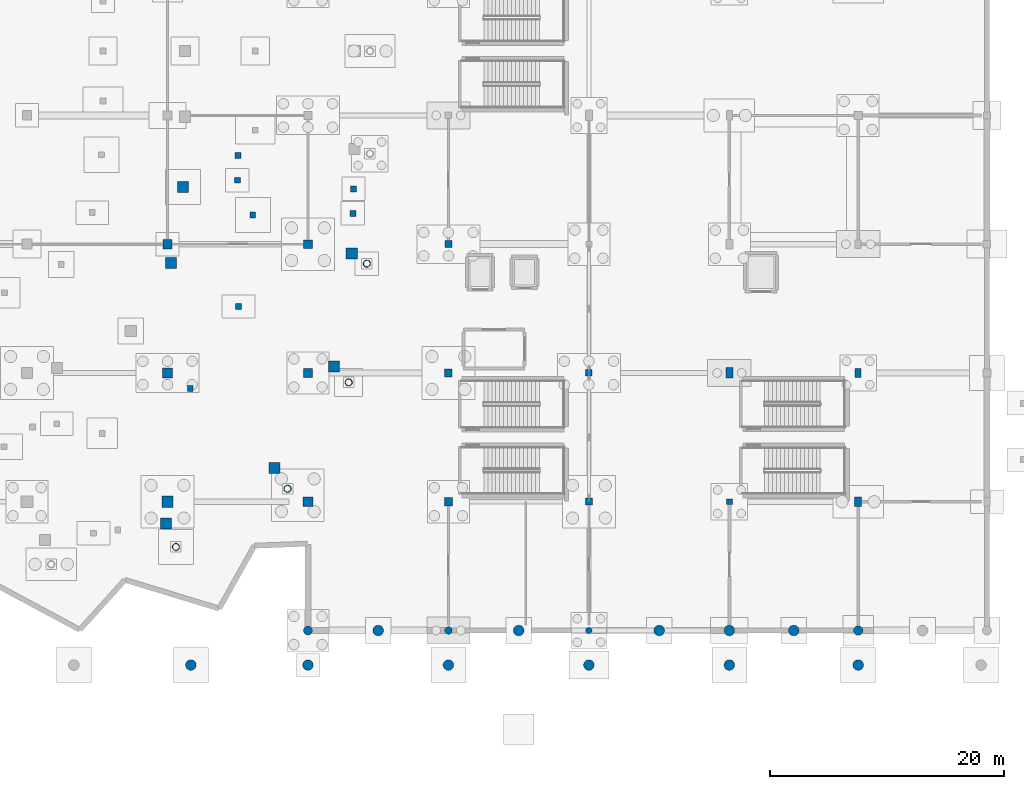
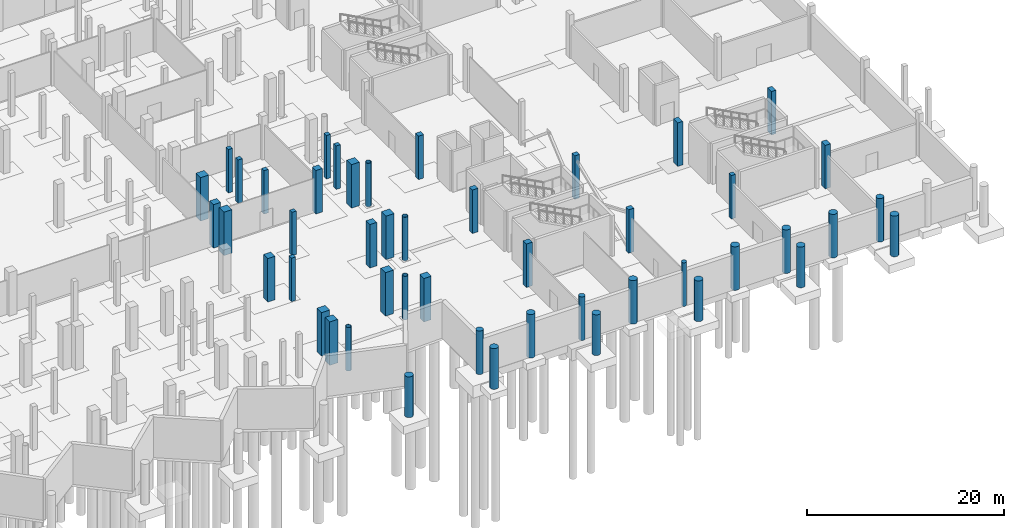
# One storey, part 18 of 60: 47 columns.
"""IFC4 building model written with IfcOpenShell, lengths in metres."""

import ifcopenshell
import ifcopenshell.guid

model = None  # the IFC model being written
_history = None  # IfcOwnerHistory: only IFC2X3 demands one
_inside = {}  # id of a spatial element -> (the spatial element, [elements in it])
_under = {}  # id of a project, library or spatial element -> (it, [spatial elements below it])
_declared = {}  # id of a project -> (the project, [libraries it declares])
_typed = {}  # id of a type object -> (the type object, [elements of that type])
_made_of = {}  # id of a material, layer set ... -> (it, [elements and type objects made of it])


def new_model(schema):
    """Start an empty IFC model of exactly this schema.

    Asked for "IFC4X3", IfcOpenShell would pick the latest addendum, in which some entities
    have other attributes; the version numbers below select the first issue.
    IFC2X3 requires an IfcOwnerHistory on every rooted entity: one is made here for all.
    """
    global model, _history
    if schema == "IFC4X3":
        model = ifcopenshell.file(schema_version=(4, 3, 0, 0))
    else:
        model = ifcopenshell.file(schema=schema)
    _inside.clear()
    _under.clear()
    _declared.clear()
    _typed.clear()
    _made_of.clear()
    _history = None
    if model.schema == "IFC2X3":
        org = make("IfcOrganization", Name="unknown")
        user = make(
            "IfcPersonAndOrganization",
            ThePerson=make("IfcPerson", FamilyName="unknown"),
            TheOrganization=org,
        )
        app = make(
            "IfcApplication",
            ApplicationDeveloper=org,
            Version="unknown",
            ApplicationFullName="unknown",
            ApplicationIdentifier="unknown",
        )
        _history = make(
            "IfcOwnerHistory",
            OwningUser=user,
            OwningApplication=app,
            ChangeAction="ADDED",
            CreationDate=0,
        )
    return model


def make(cls, **values):
    """One entity of the class cls with the attributes given. An attribute that is None is left unset."""
    return model.create_entity(
        cls, **{name: value for name, value in values.items() if value is not None}
    )


def rooted(cls, **values):
    """An entity with a GlobalId (a new one), such as an element, a storey or a relation."""
    return make(cls, GlobalId=ifcopenshell.guid.new(), OwnerHistory=_history, **values)


def si_unit(unit_type, name, prefix=None):
    """IfcSIUnit, for example si_unit("LENGTHUNIT", "METRE", prefix="MILLI")."""
    return make("IfcSIUnit", UnitType=unit_type, Prefix=prefix, Name=name)


def assignment(units):
    """IfcUnitAssignment: the units of a project."""
    return None if units is None else make("IfcUnitAssignment", Units=units)


def point(xyz):
    """IfcCartesianPoint."""
    return None if xyz is None else make("IfcCartesianPoint", Coordinates=xyz)


def direction(xyz):
    """IfcDirection."""
    return None if xyz is None else make("IfcDirection", DirectionRatios=xyz)


def frame(location, z_axis=None, x_axis=None):
    """IfcAxis2Placement3D, a coordinate frame: its origin and axes. An axis left out is left unset."""
    return make(
        "IfcAxis2Placement3D",
        Location=point(location),
        Axis=direction(z_axis),
        RefDirection=direction(x_axis),
    )


def frame_2d(location, x_axis=None):
    """IfcAxis2Placement2D, a coordinate frame in the plane: its origin and x axis."""
    return make(
        "IfcAxis2Placement2D", Location=point(location), RefDirection=direction(x_axis)
    )


def origin():
    """The frame at (0, 0, 0) with its axes left unset."""
    return frame((0.0, 0.0, 0.0))


def origin_2d():
    """The frame at (0, 0) in the plane with its x axis left unset."""
    return frame_2d((0.0, 0.0))


def place(relative_to, where):
    """IfcLocalPlacement: puts the frame where relative to a parent placement (None: the world)."""
    return make(
        "IfcLocalPlacement", PlacementRelTo=relative_to, RelativePlacement=where
    )


def context(
    kind, dimensions, precision=None, world=None, true_north=None, identifier=None
):
    """IfcGeometricRepresentationContext, for example the 3D "Model" context."""
    return make(
        "IfcGeometricRepresentationContext",
        ContextIdentifier=identifier,
        ContextType=kind,
        CoordinateSpaceDimension=dimensions,
        Precision=precision,
        WorldCoordinateSystem=world,
        TrueNorth=true_north,
    )


def subcontext(parent, identifier, kind, view, scale=None):
    """IfcGeometricRepresentationSubContext, for example "Body" below "Model"."""
    return make(
        "IfcGeometricRepresentationSubContext",
        ContextIdentifier=identifier,
        ContextType=kind,
        ParentContext=parent,
        TargetScale=scale,
        TargetView=view,
    )


def project(units=None, contexts=None):
    """IfcProject with its units and contexts."""
    return rooted(
        "IfcProject",
        Name="project",
        RepresentationContexts=contexts,
        UnitsInContext=assignment(units),
    )


def spatial(cls, under=None, at=None, **own):
    """A site, building, storey or space (cls), placed at a placement, below another one or the project."""
    s = rooted(cls, ObjectPlacement=at, **own)
    if under is not None:
        _under.setdefault(under.id(), (under, []))[1].append(s)
    return s


def profile(cls, at=None, kind="AREA", **sizes):
    """A parametric profile (cls). Its sizes go by their IFC names, for example OverallWidth=200.0."""
    return make(cls, ProfileType=kind, Position=at, **sizes)


def rectangle(**sizes):
    """IfcRectangleProfileDef."""
    return profile("IfcRectangleProfileDef", **sizes)


def circle(**sizes):
    """IfcCircleProfileDef."""
    return profile("IfcCircleProfileDef", **sizes)


def hollow_circle(**sizes):
    """IfcCircleHollowProfileDef."""
    return profile("IfcCircleHollowProfileDef", **sizes)


def extrude(swept, where, along, depth):
    """IfcExtrudedAreaSolid: the profile swept, set in the frame where, extruded along a direction by depth."""
    return make(
        "IfcExtrudedAreaSolid",
        SweptArea=swept,
        Position=where,
        ExtrudedDirection=direction(along),
        Depth=depth,
    )


def shape(context_of_items, identifier, shape_type, items):
    """IfcShapeRepresentation: the items that make up one representation, for example the "Body"."""
    return make(
        "IfcShapeRepresentation",
        ContextOfItems=context_of_items,
        RepresentationIdentifier=identifier,
        RepresentationType=shape_type,
        Items=items,
    )


def material(Name=None, Category=None):
    """IfcMaterial."""
    return make("IfcMaterial", Name=Name, Category=Category)


def material_profile(
    of_material, cross_section, Name=None, Category=None, Priority=None
):
    """IfcMaterialProfile: a cross section and its material."""
    return make(
        "IfcMaterialProfile",
        Name=Name,
        Material=of_material,
        Profile=cross_section,
        Priority=Priority,
        Category=Category,
    )


def profile_set(profiles, Name=None, composite=None):
    """IfcMaterialProfileSet."""
    return make(
        "IfcMaterialProfileSet",
        Name=Name,
        MaterialProfiles=profiles,
        CompositeProfile=composite,
    )


def made_of(thing, what):
    """Note that an element or type object is made of a material, layer set ...; save() writes the relation."""
    if what is not None:
        _made_of.setdefault(what.id(), (what, []))[1].append(thing)
    return thing


def type_object(cls, material=None, **own):
    """A type object (cls), such as IfcWallType, which elements share."""
    return made_of(rooted(cls, **own), material)


def element(
    cls,
    number,
    at=None,
    inside=None,
    cuts=None,
    type_object=None,
    material=None,
    context=None,
    identifier="Body",
    shape_type=None,
    held_by="IfcProductDefinitionShape",
    body=None,
    shapes=None,
    **own,
):
    """One element of the class cls, such as IfcWall. Its Tag is "e" and its number.

    at: its placement. inside: the storey or other place that contains it. cuts: it is an
    opening in that element (IfcRelVoidsElement). A single representation is given by context,
    identifier, shape_type and body (its items); several are given by shapes. held_by: the class
    of the entity that holds the representations. save() writes the other relations.
    """
    e = rooted(cls, Tag="e%d" % number, ObjectPlacement=at, **own)
    if body is not None:
        shapes = [shape(context, identifier, shape_type, body)]
    if shapes is not None:
        e.Representation = make(held_by, Representations=shapes)
    if inside is not None:
        _inside.setdefault(inside.id(), (inside, []))[1].append(e)
    if cuts is not None:
        rooted(
            "IfcRelVoidsElement", RelatingBuildingElement=cuts, RelatedOpeningElement=e
        )
    if type_object is not None:
        _typed.setdefault(type_object.id(), (type_object, []))[1].append(e)
    return made_of(e, material)


def aggregate(whole, parts):
    """IfcRelAggregates: a whole, such as a stair, and the parts it consists of."""
    return rooted("IfcRelAggregates", RelatingObject=whole, RelatedObjects=parts)


def save(model, path):
    """Write the relations noted so far, then the file.

    IfcRelAggregates (storeys below a building ...), IfcRelContainedInSpatialStructure (elements
    in a storey), IfcRelDefinesByType, IfcRelAssociatesMaterial and IfcRelDeclares: one each for
    every whole, place, type object, material and project.
    """
    for whole, parts in _under.values():
        aggregate(whole, parts)
    for where, things in _inside.values():
        rooted(
            "IfcRelContainedInSpatialStructure",
            RelatedElements=things,
            RelatingStructure=where,
        )
    for kind, things in _typed.values():
        rooted("IfcRelDefinesByType", RelatedObjects=things, RelatingType=kind)
    for what, things in _made_of.values():
        rooted("IfcRelAssociatesMaterial", RelatedObjects=things, RelatingMaterial=what)
    for by, libraries in _declared.values():
        rooted("IfcRelDeclares", RelatingContext=by, RelatedDefinitions=libraries)
    model.write(path)


model = new_model("IFC4")

# Units and contexts
model_context = context("Model", 3, precision=1e-05, world=origin(), true_north=direction((0.0, 1.0)))
body_context = subcontext(model_context, "Body", "Model", "MODEL_VIEW")
ifc_project = project(units=[si_unit("LENGTHUNIT", "METRE"), si_unit("AREAUNIT", "SQUARE_METRE"), si_unit("VOLUMEUNIT", "CUBIC_METRE"), si_unit("PLANEANGLEUNIT", "RADIAN"), si_unit("MASSUNIT", "GRAM", prefix="KILO")], contexts=[model_context])

# Site, building, storey
site_placement = place(None, origin())
site = spatial("IfcSite", under=ifc_project, at=site_placement, CompositionType="ELEMENT")
building_placement = place(site_placement, origin())
building = spatial("IfcBuilding", under=site, at=building_placement, Name="Luwafu Chhajja Arena", CompositionType="ELEMENT")
storey_placement = place(building_placement, frame((0.0, 0.0, -5.39990234375)))
storey = spatial("IfcBuildingStorey", under=building, at=storey_placement, Name="B1", CompositionType="ELEMENT", Elevation=-5.39990234375)

# Columns
ifc_material_1 = material(Name="Concrete C35/45", Category="concrete")
ifc_material_profile_1 = material_profile(ifc_material_1, rectangle(XDim=0.5, YDim=0.800048828125, at=origin_2d()), Name="RC 500x800")
ifc_profile_set_1 = profile_set([ifc_material_profile_1], Name="Concrete C35/45")
column_type_1 = type_object("IfcColumnType", Name="BOH Frame Column RC 500x800", PredefinedType="COLUMN", material=ifc_profile_set_1)
column_1_placement = place(storey_placement, frame((187.0, 22.0, 0.0), z_axis=(0.0, 0.0, 1.0), x_axis=(1.0, 0.0, 0.0)))
element("IfcColumn", 1, at=column_1_placement, inside=storey, type_object=column_type_1, Name="B1 Grid Column 17/C", PredefinedType="COLUMN", context=body_context, shape_type="SweptSolid", body=[
    extrude(rectangle(XDim=0.5, YDim=0.800048828125, at=origin_2d()), origin(), (0.0, 0.0, 1.0), 5.39990234375),
])
ifc_material_2 = material(Name="Concrete C40/50", Category="concrete")
ifc_material_profile_2 = material_profile(ifc_material_2, rectangle(XDim=0.949951171875, YDim=0.949951171875, at=origin_2d()), Name="RC 950x950")
ifc_profile_set_2 = profile_set([ifc_material_profile_2], Name="Concrete C40/50")
column_type_2 = type_object("IfcColumnType", Name="Bowl Raker Support Column RC 950", PredefinedType="COLUMN", material=ifc_profile_set_2)
for number, where, z_axis, x_axis, name in (
    (2, (128.0, 11.0, 0.0), (0.0, 0.0, 1.0), (1.0, 0.0, 0.0), "B1 Grid Column 12/B"),
    (3, (128.298583984375, 31.399658203125, 0.0), (0.0, 0.0, 1.0), (1.0, 0.0, 0.0), "B1 Upper Bowl Raker Column UI30"),
    (4, (129.323486328125, 37.88671875, 0.0), (0.0, 0.0, 1.0), (1.0, 0.0, 0.0), "B1 Upper Bowl Raker Column UI31"),
    (5, (127.883544921875, 9.154541015625, 0.0), (0.0, 0.0, 1.0), (1.0, 0.0, 0.0), "B1 Upper Bowl Raker Column UO28"),
    (6, (137.15380859375, 13.8896484375, 0.0), (0.0, 0.0, 1.0), (1.0, 0.0, 0.0), "B1 Upper Bowl Raker Column UO29"),
    (7, (142.227294921875, 22.5419921875, 0.0), (0.0, 0.0, 1.0), (1.0, 0.0, 0.0), "B1 Upper Bowl Raker Column UO30"),
    (8, (143.739501953125, 32.20361328125, 0.0), (0.0, 0.0, 1.0), (1.0, 0.0, 0.0), "B1 Upper Bowl Raker Column UO31"),
):
    element("IfcColumn", number, at=place(storey_placement, frame(where, z_axis=z_axis, x_axis=x_axis)), inside=storey, type_object=column_type_2, Name=name, PredefinedType="COLUMN", context=body_context, shape_type="SweptSolid", body=[
        extrude(rectangle(XDim=0.949951171875, YDim=0.949951171875, at=origin_2d()), origin(), (0.0, 0.0, 1.0), 5.39990234375),
    ])
ifc_material_profile_3 = material_profile(ifc_material_1, circle(Radius=0.375, at=origin_2d()), Name="RC COL D750")
ifc_profile_set_3 = profile_set([ifc_material_profile_3], Name="Concrete C35/45")
column_type_3 = type_object("IfcColumnType", Name="Charbagh Cloister Pier D750", PredefinedType="COLUMN", material=ifc_profile_set_3)
column_2_placement = place(storey_placement, frame((140.0, 0.0, 0.0), z_axis=(0.0, 0.0, 1.0), x_axis=(1.0, 0.0, 0.0)))
element("IfcColumn", 9, at=column_2_placement, inside=storey, type_object=column_type_3, Name="B1 Grid Column 13/A", PredefinedType="COLUMN", context=body_context, shape_type="SweptSolid", body=[
    extrude(circle(Radius=0.375, at=origin_2d()), origin(), (0.0, 0.0, 1.0), 5.39990234375),
])
ifc_material_profile_4 = material_profile(ifc_material_1, rectangle(XDim=0.85009765625, YDim=0.85009765625, at=origin_2d()), Name="RC 850x850")
ifc_profile_set_4 = profile_set([ifc_material_profile_4], Name="Concrete C35/45")
column_type_4 = type_object("IfcColumnType", Name="Concourse Heavy Column RC 850", PredefinedType="COLUMN", material=ifc_profile_set_4)
for number, where, z_axis, x_axis, name in (
    (10, (128.0, 22.0, 0.0), (0.0, 0.0, 1.0), (1.0, 0.0, 0.0), "B1 Grid Column 12/C"),
    (11, (140.0, 11.0, 0.0), (0.0, 0.0, 1.0), (1.0, 0.0, 0.0), "B1 Grid Column 13/B"),
):
    element("IfcColumn", number, at=place(storey_placement, frame(where, z_axis=z_axis, x_axis=x_axis)), inside=storey, type_object=column_type_4, Name=name, PredefinedType="COLUMN", context=body_context, shape_type="SweptSolid", body=[
        extrude(rectangle(XDim=0.85009765625, YDim=0.85009765625, at=origin_2d()), origin(), (0.0, 0.0, 1.0), 5.39990234375),
    ])
ifc_material_profile_5 = material_profile(ifc_material_1, rectangle(XDim=0.800048828125, YDim=0.800048828125, at=origin_2d()), Name="RC 800x800")
ifc_profile_set_5 = profile_set([ifc_material_profile_5], Name="Concrete C35/45")
column_type_5 = type_object("IfcColumnType", Name="Concourse Standard Column RC 800", PredefinedType="COLUMN", material=ifc_profile_set_5)
for number, where, z_axis, x_axis, name in (
    (12, (128.0, 33.0, 0.0), (0.0, 0.0, 1.0), (1.0, 0.0, 0.0), "B1 Grid Column 12/D"),
    (13, (140.0, 22.0, 0.0), (0.0, 0.0, 1.0), (1.0, 0.0, 0.0), "B1 Grid Column 13/C"),
):
    element("IfcColumn", number, at=place(storey_placement, frame(where, z_axis=z_axis, x_axis=x_axis)), inside=storey, type_object=column_type_5, Name=name, PredefinedType="COLUMN", context=body_context, shape_type="SweptSolid", body=[
        extrude(rectangle(XDim=0.800048828125, YDim=0.800048828125, at=origin_2d()), origin(), (0.0, 0.0, 1.0), 5.39990234375),
    ])
ifc_material_profile_6 = material_profile(ifc_material_1, circle(Radius=0.324951171875, at=origin_2d()), Name="RC COL D650")
ifc_profile_set_6 = profile_set([ifc_material_profile_6], Name="Concrete C35/45")
column_type_6 = type_object("IfcColumnType", Name="Courtyard Arcade Pier D650", PredefinedType="COLUMN", material=ifc_profile_set_6)
column_3_placement = place(storey_placement, frame((152.0, 0.0, 0.0), z_axis=(0.0, 0.0, 1.0), x_axis=(1.0, 0.0, 0.0)))
element("IfcColumn", 14, at=column_3_placement, inside=storey, type_object=column_type_6, Name="B1 Grid Column 14/A", PredefinedType="COLUMN", context=body_context, shape_type="SweptSolid", body=[
    extrude(circle(Radius=0.324951171875, at=origin_2d()), origin(), (0.0, 0.0, 1.0), 5.39990234375),
])
ifc_material_profile_7 = material_profile(ifc_material_2, circle(Radius=0.39990234375, at=origin_2d()), Name="RC COL D800")
ifc_profile_set_7 = profile_set([ifc_material_profile_7], Name="Concrete C40/50")
column_type_7 = type_object("IfcColumnType", Name="Foyer Rotunda Pier D800", PredefinedType="COLUMN", material=ifc_profile_set_7)
column_4_placement = place(storey_placement, frame((187.0, 0.0, 0.0), z_axis=(0.0, 0.0, 1.0), x_axis=(1.0, 0.0, 0.0)))
element("IfcColumn", 15, at=column_4_placement, inside=storey, type_object=column_type_7, Name="B1 Grid Column 17/A", PredefinedType="COLUMN", context=body_context, shape_type="SweptSolid", body=[
    extrude(circle(Radius=0.39990234375, at=origin_2d()), origin(), (0.0, 0.0, 1.0), 5.39990234375),
])
ifc_material_profile_8 = material_profile(ifc_material_1, rectangle(XDim=0.550048828125, YDim=0.550048828125, at=origin_2d()), Name="RC 550x550")
ifc_profile_set_8 = profile_set([ifc_material_profile_8], Name="Concrete C35/45")
column_type_8 = type_object("IfcColumnType", Name="Gallery Column RC 550", PredefinedType="COLUMN", material=ifc_profile_set_8)
column_5_placement = place(storey_placement, frame((164.0, 22.0, 0.0), z_axis=(0.0, 0.0, 1.0), x_axis=(1.0, 0.0, 0.0)))
element("IfcColumn", 16, at=column_5_placement, inside=storey, type_object=column_type_8, Name="B1 Grid Column 15/C", PredefinedType="COLUMN", context=body_context, shape_type="SweptSolid", body=[
    extrude(rectangle(XDim=0.550048828125, YDim=0.550048828125, at=origin_2d()), origin(), (0.0, 0.0, 1.0), 5.39990234375),
])
ifc_material_profile_9 = material_profile(ifc_material_1, rectangle(XDim=0.75, YDim=0.75, at=origin_2d()), Name="RC 750x750")
ifc_profile_set_9 = profile_set([ifc_material_profile_9], Name="Concrete C35/45")
column_type_9 = type_object("IfcColumnType", Name="Hospitality Ring Column RC 750", PredefinedType="COLUMN", material=ifc_profile_set_9)
column_6_placement = place(storey_placement, frame((140.0, 33.0, 0.0), z_axis=(0.0, 0.0, 1.0), x_axis=(1.0, 0.0, 0.0)))
element("IfcColumn", 17, at=column_6_placement, inside=storey, type_object=column_type_9, Name="B1 Grid Column 13/D", PredefinedType="COLUMN", context=body_context, shape_type="SweptSolid", body=[
    extrude(rectangle(XDim=0.75, YDim=0.75, at=origin_2d()), origin(), (0.0, 0.0, 1.0), 5.39990234375),
])
ifc_material_profile_10 = material_profile(ifc_material_1, rectangle(XDim=0.60009765625, YDim=0.60009765625, at=origin_2d()), Name="RC 600x600")
ifc_profile_set_10 = profile_set([ifc_material_profile_10], Name="Concrete C35/45")
column_type_10 = type_object("IfcColumnType", Name="Mezzanine Column RC 600", PredefinedType="COLUMN", material=ifc_profile_set_10)
for number, where, z_axis, x_axis, name in (
    (18, (152.0, 33.0, 0.0), (0.0, 0.0, 1.0), (1.0, 0.0, 0.0), "B1 Grid Column 14/D"),
    (19, (164.0, 11.0, 0.0), (0.0, 0.0, 1.0), (1.0, 0.0, 0.0), "B1 Grid Column 15/B"),
):
    element("IfcColumn", number, at=place(storey_placement, frame(where, z_axis=z_axis, x_axis=x_axis)), inside=storey, type_object=column_type_10, Name=name, PredefinedType="COLUMN", context=body_context, shape_type="SweptSolid", body=[
        extrude(rectangle(XDim=0.60009765625, YDim=0.60009765625, at=origin_2d()), origin(), (0.0, 0.0, 1.0), 5.39990234375),
    ])
ifc_material_profile_11 = material_profile(ifc_material_2, circle(Radius=0.449951171875, at=origin_2d()), Name="RC COL D900")
ifc_profile_set_11 = profile_set([ifc_material_profile_11], Name="Concrete C40/50")
column_type_11 = type_object("IfcColumnType", Name="Mughal Colonnade Drum Pier D900", PredefinedType="COLUMN", material=ifc_profile_set_11)
for number, where, z_axis, x_axis, name in (
    (20, (176.0, 0.0, 0.0), (0.0, 0.0, 1.0), (1.0, 0.0, 0.0), "B1 Grid Column 16/A"),
    (21, (146.0, 0.0, 0.0), (0.0, 0.0, 1.0), (1.0, 0.0, 0.0), "B1 Mughal Riwaq Colonnade Pier SLW12"),
    (22, (158.0, 0.0, 0.0), (0.0, 0.0, 1.0), (1.0, 0.0, 0.0), "B1 Mughal Riwaq Colonnade Pier SLW13"),
    (23, (170.0, 0.0, 0.0), (0.0, 0.0, 1.0), (1.0, 0.0, 0.0), "B1 Mughal Riwaq Colonnade Pier SLW14"),
    (24, (181.5, 0.0, 0.0), (0.0, 0.0, 1.0), (1.0, 0.0, 0.0), "B1 Mughal Riwaq Colonnade Pier SLW15"),
):
    element("IfcColumn", number, at=place(storey_placement, frame(where, z_axis=z_axis, x_axis=x_axis)), inside=storey, type_object=column_type_11, Name=name, PredefinedType="COLUMN", context=body_context, shape_type="SweptSolid", body=[
        extrude(circle(Radius=0.449951171875, at=origin_2d()), origin(), (0.0, 0.0, 1.0), 5.39990234375),
    ])
for number, where, z_axis, x_axis, name in (
    (25, (130.0, -2.949951171875, 0.0), (0.0, 0.0, 1.0), (1.0, 0.0, 0.0), "B1 Plinth Apron Pier FC13"),
    (26, (140.0, -2.949951171875, 0.0), (0.0, 0.0, 1.0), (1.0, 0.0, 0.0), "B1 Plinth Apron Pier FC14"),
    (27, (152.0, -2.949951171875, 0.0), (0.0, 0.0, 1.0), (1.0, 0.0, 0.0), "B1 Plinth Apron Pier FC15"),
    (28, (164.0, -2.949951171875, 0.0), (0.0, 0.0, 1.0), (1.0, 0.0, 0.0), "B1 Plinth Apron Pier FC16"),
    (29, (176.0, -2.949951171875, 0.0), (0.0, 0.0, 1.0), (1.0, 0.0, 0.0), "B1 Plinth Apron Pier FC17"),
    (30, (187.0, -2.949951171875, 0.0), (0.0, 0.0, 1.0), (1.0, 0.0, 0.0), "B1 Plinth Apron Pier FC18"),
):
    element("IfcColumn", number, at=place(storey_placement, frame(where, z_axis=z_axis, x_axis=x_axis)), inside=storey, type_object=column_type_11, Name=name, PredefinedType="COLUMN", context=body_context, shape_type="SweptSolid", body=[
        extrude(circle(Radius=0.449951171875, at=origin_2d()), origin(), (0.0, 0.0, 1.0), 5.0498046875),
    ])
ifc_material_profile_12 = material_profile(ifc_material_1, rectangle(XDim=0.5, YDim=0.5, at=origin_2d()), Name="RC 500x500")
ifc_profile_set_12 = profile_set([ifc_material_profile_12], Name="Concrete C35/45")
column_type_12 = type_object("IfcColumnType", Name="Pavilion Column RC 500", PredefinedType="COLUMN", material=ifc_profile_set_12)
for number, where, z_axis, x_axis, name in (
    (31, (176.0, 11.0, 0.0), (0.0, 0.0, 1.0), (1.0, 0.0, 0.0), "B1 Grid Column 16/B"),
    (32, (129.947021484375, 20.672607421875, 0.0), (0.0, 0.0, 1.0), (1.0, 0.0, 0.0), "B1 Lower Bowl Support Column 29"),
    (33, (134.06201171875, 27.677001953125, 0.0), (0.0, 0.0, 1.0), (1.0, 0.0, 0.0), "B1 Lower Bowl Support Column 30"),
    (34, (135.288818359375, 35.498291015625, 0.0), (0.0, 0.0, 1.0), (1.0, 0.0, 0.0), "B1 Lower Bowl Support Column 31"),
    (35, (133.9658203125, 38.466796875, 0.0), (0.0, 0.0, 1.0), (1.0, 0.0, 0.0), "B1 Vomitory Stack Column VL31A"),
    (36, (134.0244140625, 40.56591796875, 0.0), (0.0, 0.0, 1.0), (1.0, 0.0, 0.0), "B1 Vomitory Stack Column VL31B"),
    (37, (143.834716796875, 35.626220703125, 0.0), (0.0, 0.0, 1.0), (1.0, 0.0, 0.0), "B1 Vomitory Stack Column VU31A"),
    (38, (143.892822265625, 37.725341796875, 0.0), (0.0, 0.0, 1.0), (1.0, 0.0, 0.0), "B1 Vomitory Stack Column VU31B"),
):
    element("IfcColumn", number, at=place(storey_placement, frame(where, z_axis=z_axis, x_axis=x_axis)), inside=storey, type_object=column_type_12, Name=name, PredefinedType="COLUMN", context=body_context, shape_type="SweptSolid", body=[
        extrude(rectangle(XDim=0.5, YDim=0.5, at=origin_2d()), origin(), (0.0, 0.0, 1.0), 5.39990234375),
    ])
ifc_material_profile_13 = material_profile(ifc_material_2, rectangle(XDim=0.60009765625, YDim=0.800048828125, at=origin_2d()), Name="RC 600x800")
ifc_profile_set_13 = profile_set([ifc_material_profile_13], Name="Concrete C40/50")
column_type_13 = type_object("IfcColumnType", Name="Pishtaq Pier Column RC 600x800", PredefinedType="COLUMN", material=ifc_profile_set_13)
column_7_placement = place(storey_placement, frame((187.0, 11.0, 0.0), z_axis=(0.0, 0.0, 1.0), x_axis=(1.0, 0.0, 0.0)))
element("IfcColumn", 39, at=column_7_placement, inside=storey, type_object=column_type_13, Name="B1 Grid Column 17/B", PredefinedType="COLUMN", context=body_context, shape_type="SweptSolid", body=[
    extrude(rectangle(XDim=0.60009765625, YDim=0.800048828125, at=origin_2d()), origin(), (0.0, 0.0, 1.0), 5.39990234375),
])
ifc_material_3 = material(Name="Steel S355", Category="steel")
ifc_material_profile_14 = material_profile(ifc_material_3, hollow_circle(Radius=0.304931640625, WallThickness=0.02490234375, at=origin_2d()), Name="CHS 610x25")
ifc_profile_set_14 = profile_set([ifc_material_profile_14], Name="Steel S355")
column_type_14 = type_object("IfcColumnType", Name="Steel Bowl Drum Column CHS 610", PredefinedType="COLUMN", material=ifc_profile_set_14)
for number, where, z_axis, x_axis, name in (
    (40, (128.718017578125, 7.13720703125, 0.0), (0.0, 0.0, 1.0), (1.0, 0.0, 0.0), "B1 Bowl Drum Column D28"),
    (41, (138.256103515625, 12.109130859375, 0.0), (0.0, 0.0, 1.0), (1.0, 0.0, 0.0), "B1 Bowl Drum Column D29"),
    (42, (143.47607421875, 21.194091796875, 0.0), (0.0, 0.0, 1.0), (1.0, 0.0, 0.0), "B1 Bowl Drum Column D30"),
    (43, (145.031982421875, 31.3388671875, 0.0), (0.0, 0.0, 1.0), (1.0, 0.0, 0.0), "B1 Bowl Drum Column D31"),
):
    element("IfcColumn", number, at=place(storey_placement, frame(where, z_axis=z_axis, x_axis=x_axis)), inside=storey, type_object=column_type_14, Name=name, PredefinedType="COLUMN", context=body_context, shape_type="SweptSolid", body=[
        extrude(hollow_circle(Radius=0.304931640625, WallThickness=0.02490234375, at=origin_2d()), origin(), (0.0, 0.0, 1.0), 5.39990234375),
    ])
ifc_material_profile_15 = material_profile(ifc_material_1, circle(Radius=0.27490234375, at=origin_2d()), Name="RC COL D550")
ifc_profile_set_15 = profile_set([ifc_material_profile_15], Name="Concrete C35/45")
column_type_15 = type_object("IfcColumnType", Name="Terrace Loggia Pier D550", PredefinedType="COLUMN", material=ifc_profile_set_15)
column_8_placement = place(storey_placement, frame((164.0, 0.0, 0.0), z_axis=(0.0, 0.0, 1.0), x_axis=(1.0, 0.0, 0.0)))
element("IfcColumn", 44, at=column_8_placement, inside=storey, type_object=column_type_15, Name="B1 Grid Column 15/A", PredefinedType="COLUMN", context=body_context, shape_type="SweptSolid", body=[
    extrude(circle(Radius=0.27490234375, at=origin_2d()), origin(), (0.0, 0.0, 1.0), 5.39990234375),
])
ifc_material_profile_16 = material_profile(ifc_material_1, rectangle(XDim=0.64990234375, YDim=0.64990234375, at=origin_2d()), Name="RC 650x650")
ifc_profile_set_16 = profile_set([ifc_material_profile_16], Name="Concrete C35/45")
column_type_16 = type_object("IfcColumnType", Name="Upper Wing Column RC 650", PredefinedType="COLUMN", material=ifc_profile_set_16)
column_9_placement = place(storey_placement, frame((152.0, 22.0, 0.0), z_axis=(0.0, 0.0, 1.0), x_axis=(1.0, 0.0, 0.0)))
element("IfcColumn", 45, at=column_9_placement, inside=storey, type_object=column_type_16, Name="B1 Grid Column 14/C", PredefinedType="COLUMN", context=body_context, shape_type="SweptSolid", body=[
    extrude(rectangle(XDim=0.64990234375, YDim=0.64990234375, at=origin_2d()), origin(), (0.0, 0.0, 1.0), 5.39990234375),
])
ifc_material_profile_17 = material_profile(ifc_material_2, rectangle(XDim=0.60009765625, YDim=0.89990234375, at=origin_2d()), Name="RC 600x900")
ifc_profile_set_17 = profile_set([ifc_material_profile_17], Name="Concrete C40/50")
column_type_17 = type_object("IfcColumnType", Name="Warm-Up Hall Portal Column RC 600x900", PredefinedType="COLUMN", material=ifc_profile_set_17)
column_10_placement = place(storey_placement, frame((176.0, 22.0, 0.0), z_axis=(0.0, 0.0, 1.0), x_axis=(1.0, 0.0, 0.0)))
element("IfcColumn", 46, at=column_10_placement, inside=storey, type_object=column_type_17, Name="B1 Grid Column 16/C", PredefinedType="COLUMN", context=body_context, shape_type="SweptSolid", body=[
    extrude(rectangle(XDim=0.60009765625, YDim=0.89990234375, at=origin_2d()), origin(), (0.0, 0.0, 1.0), 5.39990234375),
])
ifc_material_profile_18 = material_profile(ifc_material_1, rectangle(XDim=0.699951171875, YDim=0.699951171875, at=origin_2d()), Name="RC 700x700")
ifc_profile_set_18 = profile_set([ifc_material_profile_18], Name="Concrete C35/45")
column_type_18 = type_object("IfcColumnType", Name="Wing Frame Column RC 700", PredefinedType="COLUMN", material=ifc_profile_set_18)
column_11_placement = place(storey_placement, frame((152.0, 11.0, 0.0), z_axis=(0.0, 0.0, 1.0), x_axis=(1.0, 0.0, 0.0)))
element("IfcColumn", 47, at=column_11_placement, inside=storey, type_object=column_type_18, Name="B1 Grid Column 14/B", PredefinedType="COLUMN", context=body_context, shape_type="SweptSolid", body=[
    extrude(rectangle(XDim=0.699951171875, YDim=0.699951171875, at=origin_2d()), origin(), (0.0, 0.0, 1.0), 5.39990234375),
])

save(model, "model.ifc")
